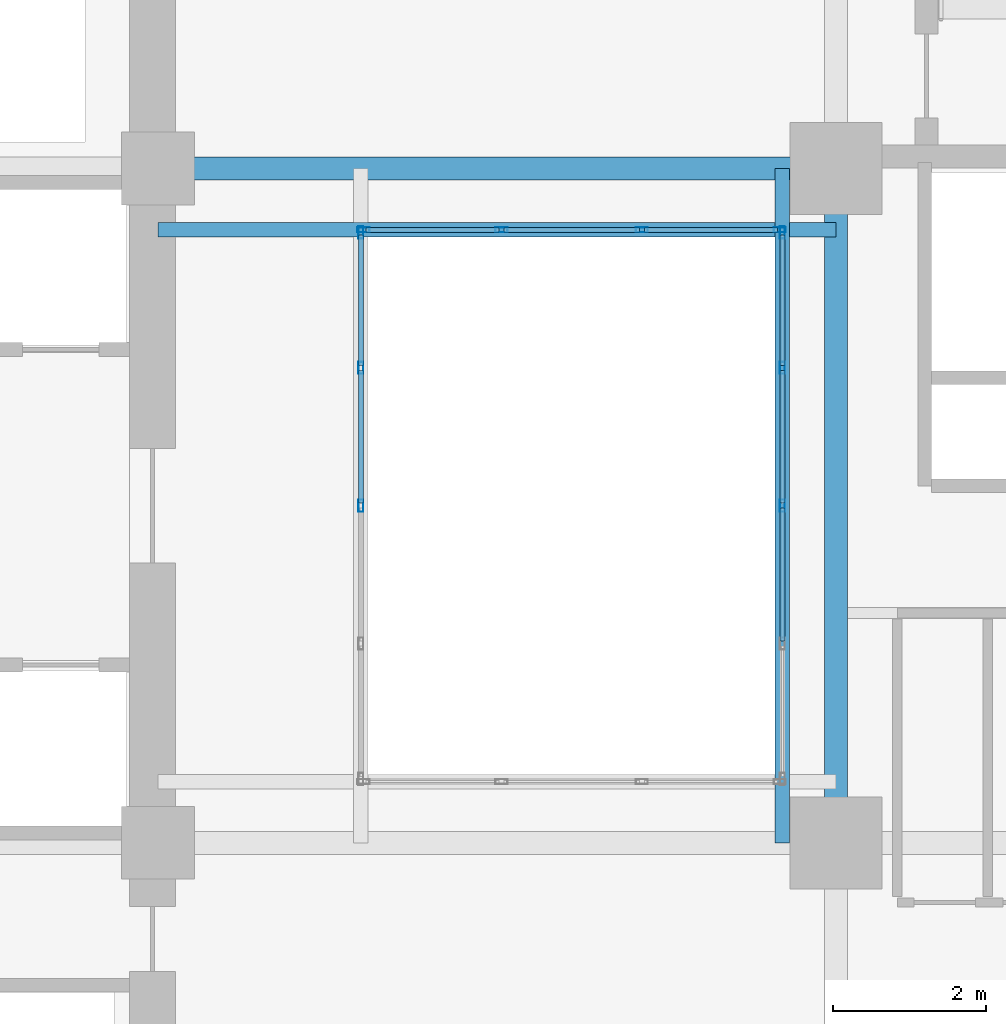
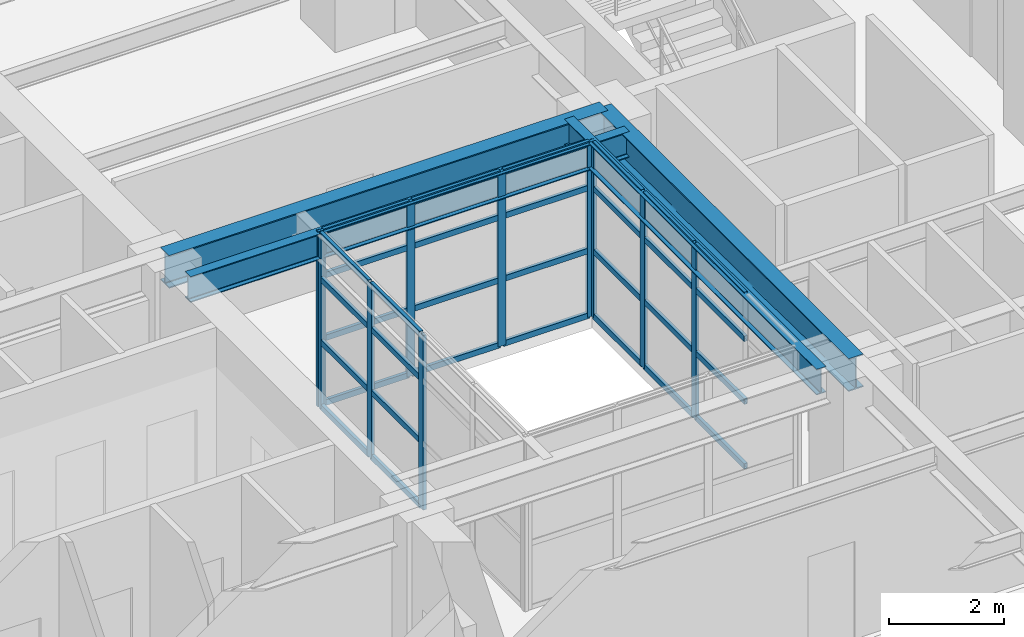
# One storey, part 4 of 17: 42 members, 4 beams, 3 elements without a shape of their own.
"""IFC4 building model written with IfcOpenShell, lengths in metres."""

import ifcopenshell
import ifcopenshell.guid

model = None  # the IFC model being written
_history = None  # IfcOwnerHistory: only IFC2X3 demands one
_inside = {}  # id of a spatial element -> (the spatial element, [elements in it])
_under = {}  # id of a project, library or spatial element -> (it, [spatial elements below it])
_declared = {}  # id of a project -> (the project, [libraries it declares])
_typed = {}  # id of a type object -> (the type object, [elements of that type])
_made_of = {}  # id of a material, layer set ... -> (it, [elements and type objects made of it])


def new_model(schema):
    """Start an empty IFC model of exactly this schema.

    Asked for "IFC4X3", IfcOpenShell would pick the latest addendum, in which some entities
    have other attributes; the version numbers below select the first issue.
    IFC2X3 requires an IfcOwnerHistory on every rooted entity: one is made here for all.
    """
    global model, _history
    if schema == "IFC4X3":
        model = ifcopenshell.file(schema_version=(4, 3, 0, 0))
    else:
        model = ifcopenshell.file(schema=schema)
    _inside.clear()
    _under.clear()
    _declared.clear()
    _typed.clear()
    _made_of.clear()
    _history = None
    if model.schema == "IFC2X3":
        org = make("IfcOrganization", Name="unknown")
        user = make(
            "IfcPersonAndOrganization",
            ThePerson=make("IfcPerson", FamilyName="unknown"),
            TheOrganization=org,
        )
        app = make(
            "IfcApplication",
            ApplicationDeveloper=org,
            Version="unknown",
            ApplicationFullName="unknown",
            ApplicationIdentifier="unknown",
        )
        _history = make(
            "IfcOwnerHistory",
            OwningUser=user,
            OwningApplication=app,
            ChangeAction="ADDED",
            CreationDate=0,
        )
    return model


def make(cls, **values):
    """One entity of the class cls with the attributes given. An attribute that is None is left unset."""
    return model.create_entity(
        cls, **{name: value for name, value in values.items() if value is not None}
    )


def rooted(cls, **values):
    """An entity with a GlobalId (a new one), such as an element, a storey or a relation."""
    return make(cls, GlobalId=ifcopenshell.guid.new(), OwnerHistory=_history, **values)


def si_unit(unit_type, name, prefix=None):
    """IfcSIUnit, for example si_unit("LENGTHUNIT", "METRE", prefix="MILLI")."""
    return make("IfcSIUnit", UnitType=unit_type, Prefix=prefix, Name=name)


def assignment(units):
    """IfcUnitAssignment: the units of a project."""
    return None if units is None else make("IfcUnitAssignment", Units=units)


def point(xyz):
    """IfcCartesianPoint."""
    return None if xyz is None else make("IfcCartesianPoint", Coordinates=xyz)


def direction(xyz):
    """IfcDirection."""
    return None if xyz is None else make("IfcDirection", DirectionRatios=xyz)


def frame(location, z_axis=None, x_axis=None):
    """IfcAxis2Placement3D, a coordinate frame: its origin and axes. An axis left out is left unset."""
    return make(
        "IfcAxis2Placement3D",
        Location=point(location),
        Axis=direction(z_axis),
        RefDirection=direction(x_axis),
    )


def frame_2d(location, x_axis=None):
    """IfcAxis2Placement2D, a coordinate frame in the plane: its origin and x axis."""
    return make(
        "IfcAxis2Placement2D", Location=point(location), RefDirection=direction(x_axis)
    )


def origin():
    """The frame at (0, 0, 0) with its axes left unset."""
    return frame((0.0, 0.0, 0.0))


def origin_2d():
    """The frame at (0, 0) in the plane with its x axis left unset."""
    return frame_2d((0.0, 0.0))


def place(relative_to, where):
    """IfcLocalPlacement: puts the frame where relative to a parent placement (None: the world)."""
    return make(
        "IfcLocalPlacement", PlacementRelTo=relative_to, RelativePlacement=where
    )


def context(
    kind, dimensions, precision=None, world=None, true_north=None, identifier=None
):
    """IfcGeometricRepresentationContext, for example the 3D "Model" context."""
    return make(
        "IfcGeometricRepresentationContext",
        ContextIdentifier=identifier,
        ContextType=kind,
        CoordinateSpaceDimension=dimensions,
        Precision=precision,
        WorldCoordinateSystem=world,
        TrueNorth=true_north,
    )


def subcontext(parent, identifier, kind, view, scale=None):
    """IfcGeometricRepresentationSubContext, for example "Body" below "Model"."""
    return make(
        "IfcGeometricRepresentationSubContext",
        ContextIdentifier=identifier,
        ContextType=kind,
        ParentContext=parent,
        TargetScale=scale,
        TargetView=view,
    )


def project(units=None, contexts=None):
    """IfcProject with its units and contexts."""
    return rooted(
        "IfcProject",
        Name="project",
        RepresentationContexts=contexts,
        UnitsInContext=assignment(units),
    )


def spatial(cls, under=None, at=None, **own):
    """A site, building, storey or space (cls), placed at a placement, below another one or the project."""
    s = rooted(cls, ObjectPlacement=at, **own)
    if under is not None:
        _under.setdefault(under.id(), (under, []))[1].append(s)
    return s


def profile(cls, at=None, kind="AREA", **sizes):
    """A parametric profile (cls). Its sizes go by their IFC names, for example OverallWidth=200.0."""
    return make(cls, ProfileType=kind, Position=at, **sizes)


def hollow_rectangle(**sizes):
    """IfcRectangleHollowProfileDef."""
    return profile("IfcRectangleHollowProfileDef", **sizes)


def i_section(**sizes):
    """IfcIShapeProfileDef."""
    return profile("IfcIShapeProfileDef", **sizes)


def extrude(swept, where, along, depth):
    """IfcExtrudedAreaSolid: the profile swept, set in the frame where, extruded along a direction by depth."""
    return make(
        "IfcExtrudedAreaSolid",
        SweptArea=swept,
        Position=where,
        ExtrudedDirection=direction(along),
        Depth=depth,
    )


def shape(context_of_items, identifier, shape_type, items):
    """IfcShapeRepresentation: the items that make up one representation, for example the "Body"."""
    return make(
        "IfcShapeRepresentation",
        ContextOfItems=context_of_items,
        RepresentationIdentifier=identifier,
        RepresentationType=shape_type,
        Items=items,
    )


def material(Name=None, Category=None):
    """IfcMaterial."""
    return make("IfcMaterial", Name=Name, Category=Category)


def layer(
    of_material, thickness, ventilated=None, Name=None, Category=None, Priority=None
):
    """IfcMaterialLayer: one layer of a wall or slab, of a material (None: an air gap)."""
    return make(
        "IfcMaterialLayer",
        Material=of_material,
        LayerThickness=thickness,
        IsVentilated=ventilated,
        Name=Name,
        Category=Category,
        Priority=Priority,
    )


def layer_set(layers, Name=None):
    """IfcMaterialLayerSet."""
    return make("IfcMaterialLayerSet", MaterialLayers=layers, LayerSetName=Name)


def material_profile(
    of_material, cross_section, Name=None, Category=None, Priority=None
):
    """IfcMaterialProfile: a cross section and its material."""
    return make(
        "IfcMaterialProfile",
        Name=Name,
        Material=of_material,
        Profile=cross_section,
        Priority=Priority,
        Category=Category,
    )


def profile_set(profiles, Name=None, composite=None):
    """IfcMaterialProfileSet."""
    return make(
        "IfcMaterialProfileSet",
        Name=Name,
        MaterialProfiles=profiles,
        CompositeProfile=composite,
    )


def made_of(thing, what):
    """Note that an element or type object is made of a material, layer set ...; save() writes the relation."""
    if what is not None:
        _made_of.setdefault(what.id(), (what, []))[1].append(thing)
    return thing


def type_object(cls, material=None, **own):
    """A type object (cls), such as IfcWallType, which elements share."""
    return made_of(rooted(cls, **own), material)


def element(
    cls,
    number,
    at=None,
    inside=None,
    cuts=None,
    type_object=None,
    material=None,
    context=None,
    identifier="Body",
    shape_type=None,
    held_by="IfcProductDefinitionShape",
    body=None,
    shapes=None,
    **own,
):
    """One element of the class cls, such as IfcWall. Its Tag is "e" and its number.

    at: its placement. inside: the storey or other place that contains it. cuts: it is an
    opening in that element (IfcRelVoidsElement). A single representation is given by context,
    identifier, shape_type and body (its items); several are given by shapes. held_by: the class
    of the entity that holds the representations. save() writes the other relations.
    """
    e = rooted(cls, Tag="e%d" % number, ObjectPlacement=at, **own)
    if body is not None:
        shapes = [shape(context, identifier, shape_type, body)]
    if shapes is not None:
        e.Representation = make(held_by, Representations=shapes)
    if inside is not None:
        _inside.setdefault(inside.id(), (inside, []))[1].append(e)
    if cuts is not None:
        rooted(
            "IfcRelVoidsElement", RelatingBuildingElement=cuts, RelatedOpeningElement=e
        )
    if type_object is not None:
        _typed.setdefault(type_object.id(), (type_object, []))[1].append(e)
    return made_of(e, material)


def aggregate(whole, parts):
    """IfcRelAggregates: a whole, such as a stair, and the parts it consists of."""
    return rooted("IfcRelAggregates", RelatingObject=whole, RelatedObjects=parts)


def save(model, path):
    """Write the relations noted so far, then the file.

    IfcRelAggregates (storeys below a building ...), IfcRelContainedInSpatialStructure (elements
    in a storey), IfcRelDefinesByType, IfcRelAssociatesMaterial and IfcRelDeclares: one each for
    every whole, place, type object, material and project.
    """
    for whole, parts in _under.values():
        aggregate(whole, parts)
    for where, things in _inside.values():
        rooted(
            "IfcRelContainedInSpatialStructure",
            RelatedElements=things,
            RelatingStructure=where,
        )
    for kind, things in _typed.values():
        rooted("IfcRelDefinesByType", RelatedObjects=things, RelatingType=kind)
    for what, things in _made_of.values():
        rooted("IfcRelAssociatesMaterial", RelatedObjects=things, RelatingMaterial=what)
    for by, libraries in _declared.values():
        rooted("IfcRelDeclares", RelatingContext=by, RelatedDefinitions=libraries)
    model.write(path)


model = new_model("IFC4")

# Units and contexts
model_context = context("Model", 3, precision=1e-05, world=origin(), true_north=direction((0.0, 1.0)))
body_context = subcontext(model_context, "Body", "Model", "MODEL_VIEW")
ifc_project = project(units=[si_unit("LENGTHUNIT", "METRE"), si_unit("AREAUNIT", "SQUARE_METRE"), si_unit("VOLUMEUNIT", "CUBIC_METRE"), si_unit("PLANEANGLEUNIT", "RADIAN"), si_unit("MASSUNIT", "GRAM", prefix="KILO")], contexts=[model_context])

# Site, building, storey
site_placement = place(None, origin())
site = spatial("IfcSite", under=ifc_project, at=site_placement, CompositionType="ELEMENT")
building_placement = place(site_placement, origin())
building = spatial("IfcBuilding", under=site, at=building_placement, Name="Kundavana Baori Tower", CompositionType="ELEMENT")
storey_placement = place(building_placement, frame((0.0, 0.0, 30.0)))
storey = spatial("IfcBuildingStorey", under=building, at=storey_placement, Name="L06", CompositionType="ELEMENT", Elevation=30.0)

# Beams
ifc_material_1 = material(Name="Structural Steel S355JR", Category="steel")
ifc_material_profile_1 = material_profile(ifc_material_1, i_section(OverallWidth=0.18994140625, OverallDepth=0.550048828125, WebThickness=0.01123046875, FlangeThickness=0.019287109375, FilletRadius=0.01806640625, at=origin_2d()), Name="ISMB 550")
ifc_profile_set_1 = profile_set([ifc_material_profile_1], Name="Structural Steel S355JR")
beam_type_1 = type_object("IfcBeamType", Name="BM-ST-550", PredefinedType="BEAM", material=ifc_profile_set_1)
beam_1_placement = place(storey_placement, frame((33.10009765625, 24.199951171875, 3.445068359375), z_axis=(0.0, 1.0, 0.0), x_axis=(-1.0, 0.0, 0.0)))
element("IfcBeam", 1, at=beam_1_placement, inside=storey, type_object=beam_type_1, Name="L06 Atrium East Edge Beam", PredefinedType="BEAM", context=body_context, shape_type="SweptSolid", body=[
    extrude(i_section(OverallWidth=0.18994140625, OverallDepth=0.550048828125, WebThickness=0.01123046875, FlangeThickness=0.019287109375, FilletRadius=0.01806640625, at=origin_2d()), origin(), (0.0, 0.0, 1.0), 8.800048828125),
])
beam_2_placement = place(storey_placement, frame((24.949951171875, 32.199951171875, 3.445068359375), z_axis=(1.0, 0.0, 0.0), x_axis=(0.0, 1.0, 0.0)))
element("IfcBeam", 2, at=beam_2_placement, inside=storey, type_object=beam_type_1, Name="L06 Atrium North Edge Beam", PredefinedType="BEAM", context=body_context, shape_type="SweptSolid", body=[
    extrude(i_section(OverallWidth=0.18994140625, OverallDepth=0.550048828125, WebThickness=0.01123046875, FlangeThickness=0.019287109375, FilletRadius=0.01806640625, at=origin_2d()), origin(), (0.0, 0.0, 1.0), 8.85009765625),
])
ifc_material_2 = material(Name="Structural Steel S355JR", Category="steel")
ifc_material_profile_2 = material_profile(ifc_material_2, i_section(OverallWidth=0.300048828125, OverallDepth=0.699951171875, WebThickness=0.014404296875, FlangeThickness=0.02392578125, FilletRadius=0.02392578125, at=origin_2d()), Name="NPB 700x300x170")
ifc_profile_set_2 = profile_set([ifc_material_profile_2], Name="Structural Steel S355JR")
beam_type_2 = type_object("IfcBeamType", Name="BM-ST-700", PredefinedType="BEAM", material=ifc_profile_set_2)
beam_3_placement = place(storey_placement, frame((24.949951171875, 33.0, 3.3701171875), z_axis=(1.0, 0.0, 0.0), x_axis=(0.0, 1.0, 0.0)))
element("IfcBeam", 3, at=beam_3_placement, inside=storey, type_object=beam_type_2, Name="L06 Primary Grid Girder GX-3-2", PredefinedType="BEAM", context=body_context, shape_type="SweptSolid", body=[
    extrude(i_section(OverallWidth=0.300048828125, OverallDepth=0.699951171875, WebThickness=0.014404296875, FlangeThickness=0.02392578125, FilletRadius=0.02392578125, at=origin_2d()), origin(), (0.0, 0.0, 1.0), 8.85009765625),
])
beam_4_placement = place(storey_placement, frame((33.800048828125, 24.199951171875, 3.3701171875), z_axis=(0.0, 1.0, 0.0), x_axis=(-1.0, 0.0, 0.0)))
element("IfcBeam", 4, at=beam_4_placement, inside=storey, type_object=beam_type_2, Name="L06 Primary Grid Girder GY-3-2", PredefinedType="BEAM", context=body_context, shape_type="SweptSolid", body=[
    extrude(i_section(OverallWidth=0.300048828125, OverallDepth=0.699951171875, WebThickness=0.014404296875, FlangeThickness=0.02392578125, FilletRadius=0.02392578125, at=origin_2d()), origin(), (0.0, 0.0, 1.0), 8.800048828125),
])

# Curtain wall, members
ifc_material_3 = material(Name="Thermally Broken Anodised Aluminium Framing", Category="aluminium")
ifc_layer = layer(ifc_material_3, 0.18994140625, Name="CW-SYS-3")
ifc_layer_set = layer_set([ifc_layer], Name="Thermally Broken Anodised Aluminium Framing")
curtain_wall_type = type_object("IfcCurtainWallType", Name="CW-SYS-3", PredefinedType="NOTDEFINED", material=ifc_layer_set)
curtain_wall_1_placement = place(storey_placement, origin())
curtain_wall_1 = element("IfcCurtainWall", 5, at=curtain_wall_1_placement, inside=storey, type_object=curtain_wall_type, Name="L06 Atrium Glazed Curtain Wall E", PredefinedType="NOTDEFINED")
ifc_material_4 = material(Name="Thermally Broken Anodised Aluminium Framing", Category="aluminium")
ifc_material_profile_3 = material_profile(ifc_material_4, hollow_rectangle(XDim=0.06494140625, YDim=0.159912109375, WallThickness=0.00390625, at=origin_2d()), Name="CW-MULL-160")
ifc_profile_set_3 = profile_set([ifc_material_profile_3], Name="Thermally Broken Anodised Aluminium Framing")
member_type_1 = type_object("IfcMemberType", Name="CW-MULL-160", PredefinedType="MULLION", material=ifc_profile_set_3)
member_1_placement = place(storey_placement, frame((33.10009765625, 28.60009765625, 0.0), z_axis=(0.0, 0.0, 1.0), x_axis=(-1.0, 0.0, 0.0)))
member_1 = element("IfcMember", 6, at=member_1_placement, type_object=member_type_1, Name="CW3 mullion 3", PredefinedType="MULLION", context=body_context, shape_type="SweptSolid", body=[
    extrude(hollow_rectangle(XDim=0.06494140625, YDim=0.159912109375, WallThickness=0.00390625, at=origin_2d()), origin(), (0.0, 0.0, 1.0), 3.719970703125),
])
member_2_placement = place(storey_placement, frame((33.10009765625, 30.39990234375, 0.0), z_axis=(0.0, 0.0, 1.0), x_axis=(-1.0, 0.0, 0.0)))
member_2 = element("IfcMember", 7, at=member_2_placement, type_object=member_type_1, Name="CW3 mullion 4", PredefinedType="MULLION", context=body_context, shape_type="SweptSolid", body=[
    extrude(hollow_rectangle(XDim=0.06494140625, YDim=0.159912109375, WallThickness=0.00390625, at=origin_2d()), origin(), (0.0, 0.0, 1.0), 3.719970703125),
])
member_3_placement = place(storey_placement, frame((33.10009765625, 32.16748046875, 0.0), z_axis=(0.0, 0.0, 1.0), x_axis=(-1.0, 0.0, 0.0)))
member_3 = element("IfcMember", 8, at=member_3_placement, type_object=member_type_1, Name="CW3 mullion 5", PredefinedType="MULLION", context=body_context, shape_type="SweptSolid", body=[
    extrude(hollow_rectangle(XDim=0.06494140625, YDim=0.159912109375, WallThickness=0.00390625, at=origin_2d()), origin(), (0.0, 0.0, 1.0), 3.719970703125),
])

curtain_wall_2_placement = place(storey_placement, origin())
curtain_wall_2 = element("IfcCurtainWall", 9, at=curtain_wall_2_placement, inside=storey, type_object=curtain_wall_type, Name="L06 Atrium Glazed Curtain Wall N", PredefinedType="NOTDEFINED")
member_4_placement = place(storey_placement, frame((33.0673828125, 32.199951171875, 0.0), z_axis=(0.0, 0.0, 1.0), x_axis=(0.0, -1.0, 0.0)))
member_4 = element("IfcMember", 10, at=member_4_placement, type_object=member_type_1, Name="CW3 mullion 1", PredefinedType="MULLION", context=body_context, shape_type="SweptSolid", body=[
    extrude(hollow_rectangle(XDim=0.06494140625, YDim=0.159912109375, WallThickness=0.00390625, at=origin_2d()), origin(), (0.0, 0.0, 1.0), 3.719970703125),
])
member_5_placement = place(storey_placement, frame((31.2666015625, 32.199951171875, 0.0), z_axis=(0.0, 0.0, 1.0), x_axis=(0.0, -1.0, 0.0)))
member_5 = element("IfcMember", 11, at=member_5_placement, type_object=member_type_1, Name="CW3 mullion 2", PredefinedType="MULLION", context=body_context, shape_type="SweptSolid", body=[
    extrude(hollow_rectangle(XDim=0.06494140625, YDim=0.159912109375, WallThickness=0.00390625, at=origin_2d()), origin(), (0.0, 0.0, 1.0), 3.719970703125),
])
member_6_placement = place(storey_placement, frame((29.433349609375, 32.199951171875, 0.0), z_axis=(0.0, 0.0, 1.0), x_axis=(0.0, -1.0, 0.0)))
member_6 = element("IfcMember", 12, at=member_6_placement, type_object=member_type_1, Name="CW3 mullion 3", PredefinedType="MULLION", context=body_context, shape_type="SweptSolid", body=[
    extrude(hollow_rectangle(XDim=0.06494140625, YDim=0.159912109375, WallThickness=0.00390625, at=origin_2d()), origin(), (0.0, 0.0, 1.0), 3.719970703125),
])
member_7_placement = place(storey_placement, frame((27.632568359375, 32.199951171875, 0.0), z_axis=(0.0, 0.0, 1.0), x_axis=(0.0, -1.0, 0.0)))
member_7 = element("IfcMember", 13, at=member_7_placement, type_object=member_type_1, Name="CW3 mullion 4", PredefinedType="MULLION", context=body_context, shape_type="SweptSolid", body=[
    extrude(hollow_rectangle(XDim=0.06494140625, YDim=0.159912109375, WallThickness=0.00390625, at=origin_2d()), origin(), (0.0, 0.0, 1.0), 3.719970703125),
])

curtain_wall_3_placement = place(storey_placement, origin())
curtain_wall_3 = element("IfcCurtainWall", 14, at=curtain_wall_3_placement, inside=storey, type_object=curtain_wall_type, Name="L06 Atrium Glazed Curtain Wall W", PredefinedType="NOTDEFINED")
member_8_placement = place(storey_placement, frame((27.60009765625, 32.16748046875, 0.0), z_axis=(0.0, 0.0, 1.0), x_axis=(1.0, 0.0, 0.0)))
member_8 = element("IfcMember", 15, at=member_8_placement, type_object=member_type_1, Name="CW3 mullion 1", PredefinedType="MULLION", context=body_context, shape_type="SweptSolid", body=[
    extrude(hollow_rectangle(XDim=0.06494140625, YDim=0.159912109375, WallThickness=0.00390625, at=origin_2d()), origin(), (0.0, 0.0, 1.0), 3.719970703125),
])
member_9_placement = place(storey_placement, frame((27.60009765625, 30.39990234375, 0.0), z_axis=(0.0, 0.0, 1.0), x_axis=(1.0, 0.0, 0.0)))
member_9 = element("IfcMember", 16, at=member_9_placement, type_object=member_type_1, Name="CW3 mullion 2", PredefinedType="MULLION", context=body_context, shape_type="SweptSolid", body=[
    extrude(hollow_rectangle(XDim=0.06494140625, YDim=0.159912109375, WallThickness=0.00390625, at=origin_2d()), origin(), (0.0, 0.0, 1.0), 3.719970703125),
])
member_10_placement = place(storey_placement, frame((27.60009765625, 28.60009765625, 0.0), z_axis=(0.0, 0.0, 1.0), x_axis=(1.0, 0.0, 0.0)))
member_10 = element("IfcMember", 17, at=member_10_placement, type_object=member_type_1, Name="CW3 mullion 3", PredefinedType="MULLION", context=body_context, shape_type="SweptSolid", body=[
    extrude(hollow_rectangle(XDim=0.06494140625, YDim=0.159912109375, WallThickness=0.00390625, at=origin_2d()), origin(), (0.0, 0.0, 1.0), 3.719970703125),
])

# Member
ifc_material_5 = material(Name="Thermally Broken Anodised Aluminium Framing", Category="aluminium")
ifc_material_profile_4 = material_profile(ifc_material_5, hollow_rectangle(XDim=0.06494140625, YDim=0.1201171875, WallThickness=0.00390625, at=origin_2d()), Name="CW-TRAN-120")
ifc_profile_set_4 = profile_set([ifc_material_profile_4], Name="Thermally Broken Anodised Aluminium Framing")
member_type_2 = type_object("IfcMemberType", Name="CW-TRAN-120", PredefinedType="USERDEFINED", material=ifc_profile_set_4)
member_11_placement = place(storey_placement, frame((33.10009765625, 26.83251953125, 0.032470703125), z_axis=(0.0, 1.0, 0.0), x_axis=(-1.0, 0.0, 0.0)))
member_11 = element("IfcMember", 18, at=member_11_placement, type_object=member_type_2, Name="CW3 transom 2.1", ObjectType="TRANSOM", PredefinedType="USERDEFINED", context=body_context, shape_type="SweptSolid", body=[
    extrude(hollow_rectangle(XDim=0.06494140625, YDim=0.1201171875, WallThickness=0.00390625, at=origin_2d()), origin(), (0.0, 0.0, 1.0), 1.73486328125),
])

member_12_placement = place(storey_placement, frame((33.10009765625, 26.83251953125, 1.41357421875), z_axis=(0.0, 1.0, 0.0), x_axis=(-1.0, 0.0, 0.0)))
member_12 = element("IfcMember", 19, at=member_12_placement, type_object=member_type_2, Name="CW3 transom 2.2", ObjectType="TRANSOM", PredefinedType="USERDEFINED", context=body_context, shape_type="SweptSolid", body=[
    extrude(hollow_rectangle(XDim=0.06494140625, YDim=0.1201171875, WallThickness=0.00390625, at=origin_2d()), origin(), (0.0, 0.0, 1.0), 1.73486328125),
])

member_13_placement = place(storey_placement, frame((33.10009765625, 26.83251953125, 2.752685546875), z_axis=(0.0, 1.0, 0.0), x_axis=(-1.0, 0.0, 0.0)))
member_13 = element("IfcMember", 20, at=member_13_placement, type_object=member_type_2, Name="CW3 transom 2.3", ObjectType="TRANSOM", PredefinedType="USERDEFINED", context=body_context, shape_type="SweptSolid", body=[
    extrude(hollow_rectangle(XDim=0.06494140625, YDim=0.1201171875, WallThickness=0.00390625, at=origin_2d()), origin(), (0.0, 0.0, 1.0), 1.73486328125),
])

member_14_placement = place(storey_placement, frame((33.10009765625, 26.83251953125, 3.6875), z_axis=(0.0, 1.0, 0.0), x_axis=(-1.0, 0.0, 0.0)))
member_14 = element("IfcMember", 21, at=member_14_placement, type_object=member_type_2, Name="CW3 transom 2.4", ObjectType="TRANSOM", PredefinedType="USERDEFINED", context=body_context, shape_type="SweptSolid", body=[
    extrude(hollow_rectangle(XDim=0.06494140625, YDim=0.1201171875, WallThickness=0.00390625, at=origin_2d()), origin(), (0.0, 0.0, 1.0), 1.73486328125),
])

member_15_placement = place(storey_placement, frame((33.10009765625, 28.632568359375, 0.032470703125), z_axis=(0.0, 1.0, 0.0), x_axis=(-1.0, 0.0, 0.0)))
member_15 = element("IfcMember", 22, at=member_15_placement, type_object=member_type_2, Name="CW3 transom 3.1", ObjectType="TRANSOM", PredefinedType="USERDEFINED", context=body_context, shape_type="SweptSolid", body=[
    extrude(hollow_rectangle(XDim=0.06494140625, YDim=0.1201171875, WallThickness=0.00390625, at=origin_2d()), origin(), (0.0, 0.0, 1.0), 1.73486328125),
])

member_16_placement = place(storey_placement, frame((33.10009765625, 28.632568359375, 1.41357421875), z_axis=(0.0, 1.0, 0.0), x_axis=(-1.0, 0.0, 0.0)))
member_16 = element("IfcMember", 23, at=member_16_placement, type_object=member_type_2, Name="CW3 transom 3.2", ObjectType="TRANSOM", PredefinedType="USERDEFINED", context=body_context, shape_type="SweptSolid", body=[
    extrude(hollow_rectangle(XDim=0.06494140625, YDim=0.1201171875, WallThickness=0.00390625, at=origin_2d()), origin(), (0.0, 0.0, 1.0), 1.73486328125),
])

member_17_placement = place(storey_placement, frame((33.10009765625, 28.632568359375, 2.752685546875), z_axis=(0.0, 1.0, 0.0), x_axis=(-1.0, 0.0, 0.0)))
member_17 = element("IfcMember", 24, at=member_17_placement, type_object=member_type_2, Name="CW3 transom 3.3", ObjectType="TRANSOM", PredefinedType="USERDEFINED", context=body_context, shape_type="SweptSolid", body=[
    extrude(hollow_rectangle(XDim=0.06494140625, YDim=0.1201171875, WallThickness=0.00390625, at=origin_2d()), origin(), (0.0, 0.0, 1.0), 1.73486328125),
])

member_18_placement = place(storey_placement, frame((33.10009765625, 28.632568359375, 3.6875), z_axis=(0.0, 1.0, 0.0), x_axis=(-1.0, 0.0, 0.0)))
member_18 = element("IfcMember", 25, at=member_18_placement, type_object=member_type_2, Name="CW3 transom 3.4", ObjectType="TRANSOM", PredefinedType="USERDEFINED", context=body_context, shape_type="SweptSolid", body=[
    extrude(hollow_rectangle(XDim=0.06494140625, YDim=0.1201171875, WallThickness=0.00390625, at=origin_2d()), origin(), (0.0, 0.0, 1.0), 1.73486328125),
])

member_19_placement = place(storey_placement, frame((33.10009765625, 30.4326171875, 0.032470703125), z_axis=(0.0, 1.0, 0.0), x_axis=(-1.0, 0.0, 0.0)))
member_19 = element("IfcMember", 26, at=member_19_placement, type_object=member_type_2, Name="CW3 transom 4.1", ObjectType="TRANSOM", PredefinedType="USERDEFINED", context=body_context, shape_type="SweptSolid", body=[
    extrude(hollow_rectangle(XDim=0.06494140625, YDim=0.1201171875, WallThickness=0.00390625, at=origin_2d()), origin(), (0.0, 0.0, 1.0), 1.702392578125),
])

member_20_placement = place(storey_placement, frame((33.10009765625, 30.4326171875, 1.41357421875), z_axis=(0.0, 1.0, 0.0), x_axis=(-1.0, 0.0, 0.0)))
member_20 = element("IfcMember", 27, at=member_20_placement, type_object=member_type_2, Name="CW3 transom 4.2", ObjectType="TRANSOM", PredefinedType="USERDEFINED", context=body_context, shape_type="SweptSolid", body=[
    extrude(hollow_rectangle(XDim=0.06494140625, YDim=0.1201171875, WallThickness=0.00390625, at=origin_2d()), origin(), (0.0, 0.0, 1.0), 1.702392578125),
])

member_21_placement = place(storey_placement, frame((33.10009765625, 30.4326171875, 2.752685546875), z_axis=(0.0, 1.0, 0.0), x_axis=(-1.0, 0.0, 0.0)))
member_21 = element("IfcMember", 28, at=member_21_placement, type_object=member_type_2, Name="CW3 transom 4.3", ObjectType="TRANSOM", PredefinedType="USERDEFINED", context=body_context, shape_type="SweptSolid", body=[
    extrude(hollow_rectangle(XDim=0.06494140625, YDim=0.1201171875, WallThickness=0.00390625, at=origin_2d()), origin(), (0.0, 0.0, 1.0), 1.702392578125),
])

member_22_placement = place(storey_placement, frame((33.10009765625, 30.4326171875, 3.6875), z_axis=(0.0, 1.0, 0.0), x_axis=(-1.0, 0.0, 0.0)))
member_22 = element("IfcMember", 29, at=member_22_placement, type_object=member_type_2, Name="CW3 transom 4.4", ObjectType="TRANSOM", PredefinedType="USERDEFINED", context=body_context, shape_type="SweptSolid", body=[
    extrude(hollow_rectangle(XDim=0.06494140625, YDim=0.1201171875, WallThickness=0.00390625, at=origin_2d()), origin(), (0.0, 0.0, 1.0), 1.702392578125),
])

aggregate(curtain_wall_1, [member_1, member_2, member_3, member_11, member_12, member_13, member_14, member_15, member_16, member_17, member_18, member_19, member_20, member_21, member_22])

member_23_placement = place(storey_placement, frame((33.034912109375, 32.199951171875, 0.032470703125), z_axis=(-1.0, 0.0, 0.0), x_axis=(0.0, -1.0, 0.0)))
member_23 = element("IfcMember", 30, at=member_23_placement, type_object=member_type_2, Name="CW3 transom 1.1", ObjectType="TRANSOM", PredefinedType="USERDEFINED", context=body_context, shape_type="SweptSolid", body=[
    extrude(hollow_rectangle(XDim=0.06494140625, YDim=0.1201171875, WallThickness=0.00390625, at=origin_2d()), origin(), (0.0, 0.0, 1.0), 1.73583984375),
])

member_24_placement = place(storey_placement, frame((33.034912109375, 32.199951171875, 1.41357421875), z_axis=(-1.0, 0.0, 0.0), x_axis=(0.0, -1.0, 0.0)))
member_24 = element("IfcMember", 31, at=member_24_placement, type_object=member_type_2, Name="CW3 transom 1.2", ObjectType="TRANSOM", PredefinedType="USERDEFINED", context=body_context, shape_type="SweptSolid", body=[
    extrude(hollow_rectangle(XDim=0.06494140625, YDim=0.1201171875, WallThickness=0.00390625, at=origin_2d()), origin(), (0.0, 0.0, 1.0), 1.73583984375),
])

member_25_placement = place(storey_placement, frame((33.034912109375, 32.199951171875, 2.752685546875), z_axis=(-1.0, 0.0, 0.0), x_axis=(0.0, -1.0, 0.0)))
member_25 = element("IfcMember", 32, at=member_25_placement, type_object=member_type_2, Name="CW3 transom 1.3", ObjectType="TRANSOM", PredefinedType="USERDEFINED", context=body_context, shape_type="SweptSolid", body=[
    extrude(hollow_rectangle(XDim=0.06494140625, YDim=0.1201171875, WallThickness=0.00390625, at=origin_2d()), origin(), (0.0, 0.0, 1.0), 1.73583984375),
])

member_26_placement = place(storey_placement, frame((33.034912109375, 32.199951171875, 3.6875), z_axis=(-1.0, 0.0, 0.0), x_axis=(0.0, -1.0, 0.0)))
member_26 = element("IfcMember", 33, at=member_26_placement, type_object=member_type_2, Name="CW3 transom 1.4", ObjectType="TRANSOM", PredefinedType="USERDEFINED", context=body_context, shape_type="SweptSolid", body=[
    extrude(hollow_rectangle(XDim=0.06494140625, YDim=0.1201171875, WallThickness=0.00390625, at=origin_2d()), origin(), (0.0, 0.0, 1.0), 1.73583984375),
])

member_27_placement = place(storey_placement, frame((31.234130859375, 32.199951171875, 0.032470703125), z_axis=(-1.0, 0.0, 0.0), x_axis=(0.0, -1.0, 0.0)))
member_27 = element("IfcMember", 34, at=member_27_placement, type_object=member_type_2, Name="CW3 transom 2.1", ObjectType="TRANSOM", PredefinedType="USERDEFINED", context=body_context, shape_type="SweptSolid", body=[
    extrude(hollow_rectangle(XDim=0.06494140625, YDim=0.1201171875, WallThickness=0.00390625, at=origin_2d()), origin(), (0.0, 0.0, 1.0), 1.768310546875),
])

member_28_placement = place(storey_placement, frame((31.234130859375, 32.199951171875, 1.41357421875), z_axis=(-1.0, 0.0, 0.0), x_axis=(0.0, -1.0, 0.0)))
member_28 = element("IfcMember", 35, at=member_28_placement, type_object=member_type_2, Name="CW3 transom 2.2", ObjectType="TRANSOM", PredefinedType="USERDEFINED", context=body_context, shape_type="SweptSolid", body=[
    extrude(hollow_rectangle(XDim=0.06494140625, YDim=0.1201171875, WallThickness=0.00390625, at=origin_2d()), origin(), (0.0, 0.0, 1.0), 1.768310546875),
])

member_29_placement = place(storey_placement, frame((31.234130859375, 32.199951171875, 2.752685546875), z_axis=(-1.0, 0.0, 0.0), x_axis=(0.0, -1.0, 0.0)))
member_29 = element("IfcMember", 36, at=member_29_placement, type_object=member_type_2, Name="CW3 transom 2.3", ObjectType="TRANSOM", PredefinedType="USERDEFINED", context=body_context, shape_type="SweptSolid", body=[
    extrude(hollow_rectangle(XDim=0.06494140625, YDim=0.1201171875, WallThickness=0.00390625, at=origin_2d()), origin(), (0.0, 0.0, 1.0), 1.768310546875),
])

member_30_placement = place(storey_placement, frame((31.234130859375, 32.199951171875, 3.6875), z_axis=(-1.0, 0.0, 0.0), x_axis=(0.0, -1.0, 0.0)))
member_30 = element("IfcMember", 37, at=member_30_placement, type_object=member_type_2, Name="CW3 transom 2.4", ObjectType="TRANSOM", PredefinedType="USERDEFINED", context=body_context, shape_type="SweptSolid", body=[
    extrude(hollow_rectangle(XDim=0.06494140625, YDim=0.1201171875, WallThickness=0.00390625, at=origin_2d()), origin(), (0.0, 0.0, 1.0), 1.768310546875),
])

member_31_placement = place(storey_placement, frame((29.40087890625, 32.199951171875, 0.032470703125), z_axis=(-1.0, 0.0, 0.0), x_axis=(0.0, -1.0, 0.0)))
member_31 = element("IfcMember", 38, at=member_31_placement, type_object=member_type_2, Name="CW3 transom 3.1", ObjectType="TRANSOM", PredefinedType="USERDEFINED", context=body_context, shape_type="SweptSolid", body=[
    extrude(hollow_rectangle(XDim=0.06494140625, YDim=0.1201171875, WallThickness=0.00390625, at=origin_2d()), origin(), (0.0, 0.0, 1.0), 1.73583984375),
])

member_32_placement = place(storey_placement, frame((29.40087890625, 32.199951171875, 1.41357421875), z_axis=(-1.0, 0.0, 0.0), x_axis=(0.0, -1.0, 0.0)))
member_32 = element("IfcMember", 39, at=member_32_placement, type_object=member_type_2, Name="CW3 transom 3.2", ObjectType="TRANSOM", PredefinedType="USERDEFINED", context=body_context, shape_type="SweptSolid", body=[
    extrude(hollow_rectangle(XDim=0.06494140625, YDim=0.1201171875, WallThickness=0.00390625, at=origin_2d()), origin(), (0.0, 0.0, 1.0), 1.73583984375),
])

member_33_placement = place(storey_placement, frame((29.40087890625, 32.199951171875, 2.752685546875), z_axis=(-1.0, 0.0, 0.0), x_axis=(0.0, -1.0, 0.0)))
member_33 = element("IfcMember", 40, at=member_33_placement, type_object=member_type_2, Name="CW3 transom 3.3", ObjectType="TRANSOM", PredefinedType="USERDEFINED", context=body_context, shape_type="SweptSolid", body=[
    extrude(hollow_rectangle(XDim=0.06494140625, YDim=0.1201171875, WallThickness=0.00390625, at=origin_2d()), origin(), (0.0, 0.0, 1.0), 1.73583984375),
])

member_34_placement = place(storey_placement, frame((29.40087890625, 32.199951171875, 3.6875), z_axis=(-1.0, 0.0, 0.0), x_axis=(0.0, -1.0, 0.0)))
member_34 = element("IfcMember", 41, at=member_34_placement, type_object=member_type_2, Name="CW3 transom 3.4", ObjectType="TRANSOM", PredefinedType="USERDEFINED", context=body_context, shape_type="SweptSolid", body=[
    extrude(hollow_rectangle(XDim=0.06494140625, YDim=0.1201171875, WallThickness=0.00390625, at=origin_2d()), origin(), (0.0, 0.0, 1.0), 1.73583984375),
])

aggregate(curtain_wall_2, [member_4, member_5, member_6, member_7, member_23, member_24, member_25, member_26, member_27, member_28, member_29, member_30, member_31, member_32, member_33, member_34])

member_35_placement = place(storey_placement, frame((27.60009765625, 32.135009765625, 0.032470703125), z_axis=(0.0, -1.0, 0.0), x_axis=(1.0, 0.0, 0.0)))
member_35 = element("IfcMember", 42, at=member_35_placement, type_object=member_type_2, Name="CW3 transom 1.1", ObjectType="TRANSOM", PredefinedType="USERDEFINED", context=body_context, shape_type="SweptSolid", body=[
    extrude(hollow_rectangle(XDim=0.06494140625, YDim=0.1201171875, WallThickness=0.00390625, at=origin_2d()), origin(), (0.0, 0.0, 1.0), 1.702392578125),
])

member_36_placement = place(storey_placement, frame((27.60009765625, 32.135009765625, 1.41357421875), z_axis=(0.0, -1.0, 0.0), x_axis=(1.0, 0.0, 0.0)))
member_36 = element("IfcMember", 43, at=member_36_placement, type_object=member_type_2, Name="CW3 transom 1.2", ObjectType="TRANSOM", PredefinedType="USERDEFINED", context=body_context, shape_type="SweptSolid", body=[
    extrude(hollow_rectangle(XDim=0.06494140625, YDim=0.1201171875, WallThickness=0.00390625, at=origin_2d()), origin(), (0.0, 0.0, 1.0), 1.702392578125),
])

member_37_placement = place(storey_placement, frame((27.60009765625, 32.135009765625, 2.752685546875), z_axis=(0.0, -1.0, 0.0), x_axis=(1.0, 0.0, 0.0)))
member_37 = element("IfcMember", 44, at=member_37_placement, type_object=member_type_2, Name="CW3 transom 1.3", ObjectType="TRANSOM", PredefinedType="USERDEFINED", context=body_context, shape_type="SweptSolid", body=[
    extrude(hollow_rectangle(XDim=0.06494140625, YDim=0.1201171875, WallThickness=0.00390625, at=origin_2d()), origin(), (0.0, 0.0, 1.0), 1.702392578125),
])

member_38_placement = place(storey_placement, frame((27.60009765625, 32.135009765625, 3.6875), z_axis=(0.0, -1.0, 0.0), x_axis=(1.0, 0.0, 0.0)))
member_38 = element("IfcMember", 45, at=member_38_placement, type_object=member_type_2, Name="CW3 transom 1.4", ObjectType="TRANSOM", PredefinedType="USERDEFINED", context=body_context, shape_type="SweptSolid", body=[
    extrude(hollow_rectangle(XDim=0.06494140625, YDim=0.1201171875, WallThickness=0.00390625, at=origin_2d()), origin(), (0.0, 0.0, 1.0), 1.702392578125),
])

member_39_placement = place(storey_placement, frame((27.60009765625, 30.367431640625, 0.032470703125), z_axis=(0.0, -1.0, 0.0), x_axis=(1.0, 0.0, 0.0)))
member_39 = element("IfcMember", 46, at=member_39_placement, type_object=member_type_2, Name="CW3 transom 2.1", ObjectType="TRANSOM", PredefinedType="USERDEFINED", context=body_context, shape_type="SweptSolid", body=[
    extrude(hollow_rectangle(XDim=0.06494140625, YDim=0.1201171875, WallThickness=0.00390625, at=origin_2d()), origin(), (0.0, 0.0, 1.0), 1.73486328125),
])

member_40_placement = place(storey_placement, frame((27.60009765625, 30.367431640625, 1.41357421875), z_axis=(0.0, -1.0, 0.0), x_axis=(1.0, 0.0, 0.0)))
member_40 = element("IfcMember", 47, at=member_40_placement, type_object=member_type_2, Name="CW3 transom 2.2", ObjectType="TRANSOM", PredefinedType="USERDEFINED", context=body_context, shape_type="SweptSolid", body=[
    extrude(hollow_rectangle(XDim=0.06494140625, YDim=0.1201171875, WallThickness=0.00390625, at=origin_2d()), origin(), (0.0, 0.0, 1.0), 1.73486328125),
])

member_41_placement = place(storey_placement, frame((27.60009765625, 30.367431640625, 2.752685546875), z_axis=(0.0, -1.0, 0.0), x_axis=(1.0, 0.0, 0.0)))
member_41 = element("IfcMember", 48, at=member_41_placement, type_object=member_type_2, Name="CW3 transom 2.3", ObjectType="TRANSOM", PredefinedType="USERDEFINED", context=body_context, shape_type="SweptSolid", body=[
    extrude(hollow_rectangle(XDim=0.06494140625, YDim=0.1201171875, WallThickness=0.00390625, at=origin_2d()), origin(), (0.0, 0.0, 1.0), 1.73486328125),
])

member_42_placement = place(storey_placement, frame((27.60009765625, 30.367431640625, 3.6875), z_axis=(0.0, -1.0, 0.0), x_axis=(1.0, 0.0, 0.0)))
member_42 = element("IfcMember", 49, at=member_42_placement, type_object=member_type_2, Name="CW3 transom 2.4", ObjectType="TRANSOM", PredefinedType="USERDEFINED", context=body_context, shape_type="SweptSolid", body=[
    extrude(hollow_rectangle(XDim=0.06494140625, YDim=0.1201171875, WallThickness=0.00390625, at=origin_2d()), origin(), (0.0, 0.0, 1.0), 1.73486328125),
])

aggregate(curtain_wall_3, [member_8, member_9, member_10, member_35, member_36, member_37, member_38, member_39, member_40, member_41, member_42])

save(model, "model.ifc")
